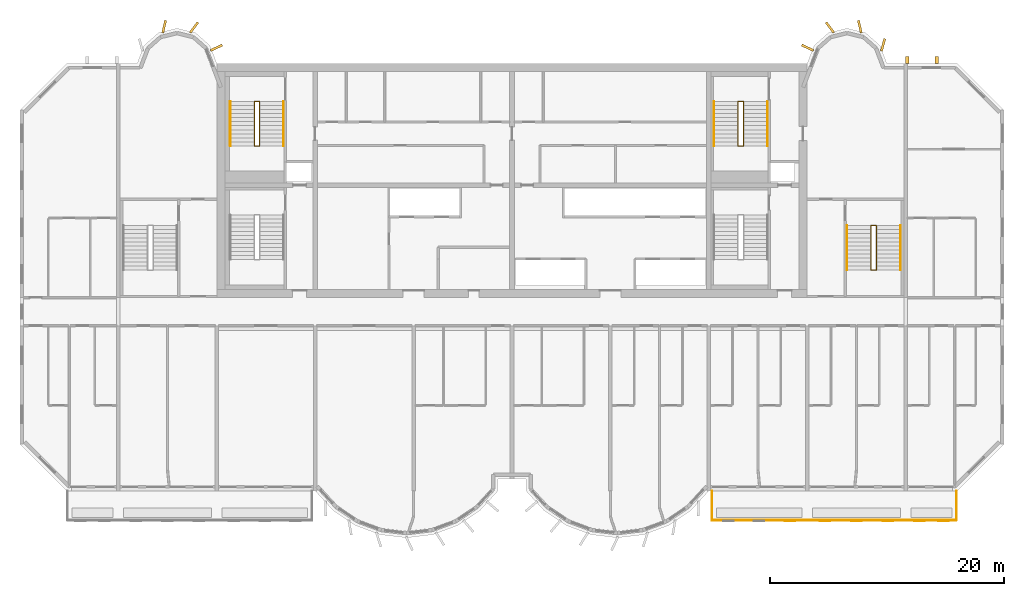
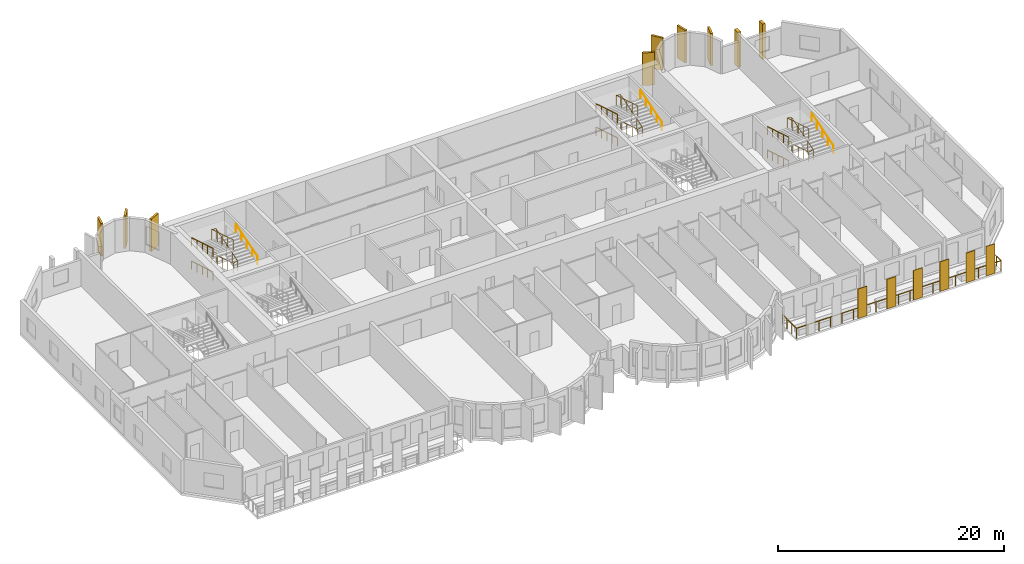
# One storey, part 12 of 13: 15 coverings, 13 railings.
"""IFC4 building model written with IfcOpenShell, lengths in metres."""

from ifc_helpers import new_model, si_unit, direction, frame, origin, origin_2d, place, context, subcontext, project, spatial, rectangle, circle, extrude, source, transform, mapped, material, layer, layer_set, material_profile, profile_set, type_object, element, save


model = new_model("IFC4")

# Units and contexts
model_context = context("Model", 3, precision=1e-05, world=origin(), true_north=direction((0.0, 1.0)))
body_context = subcontext(model_context, "Body", "Model", "MODEL_VIEW")
ifc_project = project(units=[si_unit("LENGTHUNIT", "METRE"), si_unit("AREAUNIT", "SQUARE_METRE"), si_unit("VOLUMEUNIT", "CUBIC_METRE"), si_unit("PLANEANGLEUNIT", "RADIAN"), si_unit("MASSUNIT", "GRAM", prefix="KILO")], contexts=[model_context])

# Site, building, storey
site_placement = place(None, origin())
site = spatial("IfcSite", under=ifc_project, at=site_placement, CompositionType="ELEMENT")
building_placement = place(site_placement, origin())
building = spatial("IfcBuilding", under=site, at=building_placement, Name="Vanashikhar Sky Hotel", CompositionType="ELEMENT")
storey_placement = place(building_placement, frame((0.0, 0.0, 197.199951171875)))
storey = spatial("IfcBuildingStorey", under=building, at=storey_placement, Name="L48", CompositionType="ELEMENT", Elevation=197.199951171875)

# Coverings
ifc_material_1 = material(Name="Concrete M60 dark", Category="concrete")
ifc_material_profile_1 = material_profile(ifc_material_1, rectangle(XDim=1.10009765625, YDim=0.199951171875, at=origin_2d()))
ifc_profile_set_1 = profile_set([ifc_material_profile_1], Name="Rear lobe fin 1100 x 200")
covering_type_1 = type_object("IfcCoveringType", Name="Rear lobe fin 1100 x 200", PredefinedType="CLADDING", material=ifc_profile_set_1)
shared_shape_1 = source(origin(), body_context, "Body", "SweptSolid", [
    extrude(rectangle(XDim=1.10009765625, YDim=0.199951171875, at=origin_2d()), origin(), (0.0, 0.0, 1.0), 3.52001953125),
])
for number, where, z_axis, x_axis, name in (
    (1, (20.710205078125, 45.1455078125, 0.0), (0.0, 0.0, 1.0), (0.224644935864, 0.974440687159, 0.0), "Fin R1-2"),
    (2, (23.261962890625, 45.06640625, 0.0), (0.0, 0.0, 1.0), (0.602065892195, 0.798446404874, 0.0), "Fin R1-3"),
    (3, (25.169677734375, 43.33447265625, 0.0), (0.0, 0.0, 1.0), (0.908004291068, 0.418960866193, 0.0), "Fin R1-4"),
    (4, (75.63037109375, 43.33447265625, 0.0), (0.0, 0.0, 1.0), (-0.908004291068, 0.418960866193, 0.0), "Fin R2-1"),
    (5, (77.5380859375, 45.06640625, 0.0), (0.0, 0.0, 1.0), (-0.602065892195, 0.798446404874, 0.0), "Fin R2-2"),
    (6, (80.08984375, 45.1455078125, 0.0), (0.0, 0.0, 1.0), (-0.224644935864, 0.974440687159, 0.0), "Fin R2-3"),
    (7, (82.0791015625, 43.580078125, 0.0), (0.0, 0.0, 1.0), (0.262711264409, 0.964874495234, 0.0), "Fin R2-4"),
):
    element("IfcCovering", number, at=place(storey_placement, frame(where, z_axis=z_axis, x_axis=x_axis)), inside=storey, type_object=covering_type_1, Name=name, PredefinedType="CLADDING", context=body_context, shape_type="MappedRepresentation", body=[
        mapped(shared_shape_1, transform((0.0, 0.0, 0.0), scale=1.0)),
    ])
ifc_material_2 = material(Name="Terracotta", Category="masonry")
ifc_layer = layer(ifc_material_2, 0.06005859375)
ifc_layer_set = layer_set([ifc_layer], Name="Terracotta baguette screen")
covering_type_2 = type_object("IfcCoveringType", Name="Terracotta baguette screen", PredefinedType="CLADDING", material=ifc_layer_set)
shared_shape_2 = source(origin(), body_context, "Body", "SweptSolid", [
    extrude(rectangle(XDim=0.89990234375, YDim=0.06005859375, at=origin_2d()), origin(), (0.0, 0.0, 1.0), 3.199951171875),
])
for number, where, z_axis, x_axis, name in (
    (8, (74.13330078125, 2.929931640625, -0.0498046875), (0.0, 0.0, 1.0), (1.0, 0.0, 0.0), "Terracotta screen"),
    (9, (77.10009765625, 2.929931640625, -0.0498046875), (0.0, 0.0, 1.0), (1.0, 0.0, 0.0), "Terracotta screen"),
    (10, (79.800048828125, 2.929931640625, -0.0498046875), (0.0, 0.0, 1.0), (1.0, 0.0, 0.0), "Terracotta screen"),
    (11, (82.5, 2.929931640625, -0.0498046875), (0.0, 0.0, 1.0), (1.0, 0.0, 0.0), "Terracotta screen"),
    (12, (85.175048828125, 2.929931640625, -0.0498046875), (0.0, 0.0, 1.0), (1.0, 0.0, 0.0), "Terracotta screen"),
    (13, (87.22509765625, 2.929931640625, -0.0498046875), (0.0, 0.0, 1.0), (1.0, 0.0, 0.0), "Terracotta screen"),
):
    element("IfcCovering", number, at=place(storey_placement, frame(where, z_axis=z_axis, x_axis=x_axis)), inside=storey, type_object=covering_type_2, Name=name, PredefinedType="CLADDING", context=body_context, shape_type="MappedRepresentation", body=[
        mapped(shared_shape_2, transform((0.0, 0.0, 0.0), scale=1.0)),
    ])

# Railing
ifc_material_3 = material(Name="Stainless steel 316", Category="steel")
railing_type_1 = type_object("IfcRailingType", Name="Balcony guard 1100", PredefinedType="GUARDRAIL", material=ifc_material_3)
shared_shape_3 = source(origin(), body_context, "Body", "SweptSolid", [
    extrude(circle(Radius=0.02392578125, at=origin_2d()), frame((0.0, 0.0, 1.076171875), z_axis=(0.0, -1.0, 0.0), x_axis=(1.0, 0.0, 0.0)), (0.0, 0.0, 1.0), 2.5),
    extrude(circle(Radius=0.02392578125, at=origin_2d()), frame((0.0, -2.5, 1.076171875), z_axis=(1.0, 0.0, 0.0), x_axis=(0.0, 1.0, 0.0)), (0.0, 0.0, 1.0), 20.880126953125),
    extrude(circle(Radius=0.02392578125, at=origin_2d()), frame((20.880126953125, -2.5, 1.076171875), z_axis=(0.0, 1.0, 0.0), x_axis=(-1.0, 0.0, 0.0)), (0.0, 0.0, 1.0), 2.5),
    extrude(circle(Radius=0.02099609375, at=origin_2d()), origin(), (0.0, 0.0, 1.0), 1.052001953125),
    extrude(circle(Radius=0.02099609375, at=origin_2d()), frame((0.0, -0.833251953125, 0.0)), (0.0, 0.0, 1.0), 1.052001953125),
    extrude(circle(Radius=0.02099609375, at=origin_2d()), frame((0.0, -1.666748046875, 0.0)), (0.0, 0.0, 1.0), 1.052001953125),
    extrude(circle(Radius=0.02099609375, at=origin_2d()), frame((0.0, -2.5, 0.0)), (0.0, 0.0, 1.0), 1.052001953125),
    extrude(circle(Radius=0.02099609375, at=origin_2d()), frame((1.159912109375, -2.5, 0.0)), (0.0, 0.0, 1.0), 1.052001953125),
    extrude(circle(Radius=0.02099609375, at=origin_2d()), frame((2.320068359375, -2.5, 0.0)), (0.0, 0.0, 1.0), 1.052001953125),
    extrude(circle(Radius=0.02099609375, at=origin_2d()), frame((3.47998046875, -2.5, 0.0)), (0.0, 0.0, 1.0), 1.052001953125),
    extrude(circle(Radius=0.02099609375, at=origin_2d()), frame((4.64013671875, -2.5, 0.0)), (0.0, 0.0, 1.0), 1.052001953125),
    extrude(circle(Radius=0.02099609375, at=origin_2d()), frame((5.800048828125, -2.5, 0.0)), (0.0, 0.0, 1.0), 1.052001953125),
    extrude(circle(Radius=0.02099609375, at=origin_2d()), frame((6.9599609375, -2.5, 0.0)), (0.0, 0.0, 1.0), 1.052001953125),
    extrude(circle(Radius=0.02099609375, at=origin_2d()), frame((8.1201171875, -2.5, 0.0)), (0.0, 0.0, 1.0), 1.052001953125),
    extrude(circle(Radius=0.02099609375, at=origin_2d()), frame((9.280029296875, -2.5, 0.0)), (0.0, 0.0, 1.0), 1.052001953125),
    extrude(circle(Radius=0.02099609375, at=origin_2d()), frame((10.43994140625, -2.5, 0.0)), (0.0, 0.0, 1.0), 1.052001953125),
    extrude(circle(Radius=0.02099609375, at=origin_2d()), frame((11.60009765625, -2.5, 0.0)), (0.0, 0.0, 1.0), 1.052001953125),
    extrude(circle(Radius=0.02099609375, at=origin_2d()), frame((12.760009765625, -2.5, 0.0)), (0.0, 0.0, 1.0), 1.052001953125),
    extrude(circle(Radius=0.02099609375, at=origin_2d()), frame((13.920166015625, -2.5, 0.0)), (0.0, 0.0, 1.0), 1.052001953125),
    extrude(circle(Radius=0.02099609375, at=origin_2d()), frame((15.080078125, -2.5, 0.0)), (0.0, 0.0, 1.0), 1.052001953125),
    extrude(circle(Radius=0.02099609375, at=origin_2d()), frame((16.239990234375, -2.5, 0.0)), (0.0, 0.0, 1.0), 1.052001953125),
    extrude(circle(Radius=0.02099609375, at=origin_2d()), frame((17.400146484375, -2.5, 0.0)), (0.0, 0.0, 1.0), 1.052001953125),
    extrude(circle(Radius=0.02099609375, at=origin_2d()), frame((18.56005859375, -2.5, 0.0)), (0.0, 0.0, 1.0), 1.052001953125),
    extrude(circle(Radius=0.02099609375, at=origin_2d()), frame((19.72021484375, -2.5, 0.0)), (0.0, 0.0, 1.0), 1.052001953125),
    extrude(circle(Radius=0.02099609375, at=origin_2d()), frame((20.880126953125, -2.5, 0.0)), (0.0, 0.0, 1.0), 1.052001953125),
    extrude(circle(Radius=0.02099609375, at=origin_2d()), frame((20.880126953125, -1.666748046875, 0.0)), (0.0, 0.0, 1.0), 1.052001953125),
    extrude(circle(Radius=0.02099609375, at=origin_2d()), frame((20.880126953125, -0.833251953125, 0.0)), (0.0, 0.0, 1.0), 1.052001953125),
    extrude(circle(Radius=0.02099609375, at=origin_2d()), frame((20.880126953125, 0.0, 0.0)), (0.0, 0.0, 1.0), 1.052001953125),
])
railing_1_placement = place(storey_placement, frame((67.4599609375, 5.5, -0.050048828125)))
element("IfcRailing", 14, at=railing_1_placement, inside=storey, type_object=railing_type_1, Name="Balcony guard", PredefinedType="GUARDRAIL", context=body_context, shape_type="MappedRepresentation", body=[
    mapped(shared_shape_3, transform((0.0, 0.0, 0.0), scale=1.0)),
])

# Coverings
ifc_material_profile_2 = material_profile(ifc_material_1, rectangle(XDim=0.60009765625, YDim=0.300048828125, at=origin_2d()))
ifc_profile_set_2 = profile_set([ifc_material_profile_2], Name="Rear rib 600 x 300")
covering_type_3 = type_object("IfcCoveringType", Name="Rear rib 600 x 300", PredefinedType="CLADDING", material=ifc_profile_set_2)
shared_shape_4 = source(origin(), body_context, "Body", "SweptSolid", [
    extrude(rectangle(XDim=0.60009765625, YDim=0.300048828125, at=origin_2d()), origin(), (0.0, 0.0, 1.0), 3.800048828125),
])
for number, where, z_axis, x_axis, name in (
    (15, (84.14990234375, 42.300048828125, -0.280029296875), (0.0, 0.0, 1.0), (0.0, 1.0, 0.0), "Rear rib"),
    (16, (86.64990234375, 42.300048828125, -0.280029296875), (0.0, 0.0, 1.0), (0.0, 1.0, 0.0), "Rear rib"),
):
    element("IfcCovering", number, at=place(storey_placement, frame(where, z_axis=z_axis, x_axis=x_axis)), inside=storey, type_object=covering_type_3, Name=name, PredefinedType="CLADDING", context=body_context, shape_type="MappedRepresentation", body=[
        mapped(shared_shape_4, transform((0.0, 0.0, 0.0), scale=1.0)),
    ])

# Railings
ifc_material_4 = material(Name="Steel S355", Category="steel")
railing_type_2 = type_object("IfcRailingType", Name="Stair handrail 900", PredefinedType="HANDRAIL", material=ifc_material_4)
shared_shape_5 = source(origin(), body_context, "Body", "SweptSolid", [
    extrude(circle(Radius=0.02392578125, at=origin_2d()), frame((0.0, 0.0, 0.8759765625), z_axis=(0.0, 0.95635109408, 0.292220096591), x_axis=(-1.0, 0.0, 0.0)), (0.0, 0.0, 1.0), 3.973388671875),
    extrude(circle(Radius=0.02099609375, at=origin_2d()), origin(), (0.0, 0.0, 1.0), 0.851806640625),
    extrude(circle(Radius=0.02099609375, at=origin_2d()), frame((0.0, 0.949951171875, 0.290283203125)), (0.0, 0.0, 1.0), 0.851806640625),
    extrude(circle(Radius=0.02099609375, at=origin_2d()), frame((0.0, 1.89990234375, 0.58056640625)), (0.0, 0.0, 1.0), 0.851806640625),
    extrude(circle(Radius=0.02099609375, at=origin_2d()), frame((0.0, 2.85009765625, 0.870849609375)), (0.0, 0.0, 1.0), 0.851806640625),
    extrude(circle(Radius=0.02099609375, at=origin_2d()), frame((0.0, 3.800048828125, 1.1611328125)), (0.0, 0.0, 1.0), 0.851806640625),
])
for number, where, name in (
    (17, (30.89990234375, 34.949951171875, 1.372314453125), "Exit stair 5 handrail"),
    (18, (72.199951171875, 34.949951171875, 1.372314453125), "Exit stair 6 handrail"),
):
    element("IfcRailing", number, at=place(storey_placement, frame(where)), inside=storey, type_object=railing_type_2, Name=name, PredefinedType="HANDRAIL", context=body_context, shape_type="MappedRepresentation", body=[
        mapped(shared_shape_5, transform((0.0, 0.0, 0.0), scale=1.0)),
    ])
shared_shape_6 = source(origin(), body_context, "Body", "SweptSolid", [
    extrude(circle(Radius=0.02392578125, at=origin_2d()), frame((0.0, 0.0, 0.8759765625), z_axis=(0.0, -0.95635109408, 0.292220096591), x_axis=(1.0, 0.0, 0.0)), (0.0, 0.0, 1.0), 3.973388671875),
    extrude(circle(Radius=0.02099609375, at=origin_2d()), origin(), (0.0, 0.0, 1.0), 0.851806640625),
    extrude(circle(Radius=0.02099609375, at=origin_2d()), frame((0.0, -0.949951171875, 0.290283203125)), (0.0, 0.0, 1.0), 0.851806640625),
    extrude(circle(Radius=0.02099609375, at=origin_2d()), frame((0.0, -1.89990234375, 0.58056640625)), (0.0, 0.0, 1.0), 0.851806640625),
    extrude(circle(Radius=0.02099609375, at=origin_2d()), frame((0.0, -2.85009765625, 0.870849609375)), (0.0, 0.0, 1.0), 0.851806640625),
    extrude(circle(Radius=0.02099609375, at=origin_2d()), frame((0.0, -3.800048828125, 1.1611328125)), (0.0, 0.0, 1.0), 0.851806640625),
])
for number, where, name in (
    (19, (26.35009765625, 38.75, 2.638916015625), "Exit stair 5 handrail"),
    (20, (67.64990234375, 38.75, 2.638916015625), "Exit stair 6 handrail"),
):
    element("IfcRailing", number, at=place(storey_placement, frame(where)), inside=storey, type_object=railing_type_2, Name=name, PredefinedType="HANDRAIL", context=body_context, shape_type="MappedRepresentation", body=[
        mapped(shared_shape_6, transform((0.0, 0.0, 0.0), scale=1.0)),
    ])
railing_type_3 = type_object("IfcRailingType", Name="Stair guard 1100", PredefinedType="GUARDRAIL", material=ifc_material_4)
shared_shape_7 = source(origin(), body_context, "Body", "SweptSolid", [
    extrude(circle(Radius=0.02392578125, at=origin_2d()), frame((0.0, 0.0, 1.076171875), z_axis=(-0.973520925263, 0.0, 0.228597917917), x_axis=(0.0, -1.0, 0.0)), (0.0, 0.0, 1.0), 0.46240234375),
    extrude(circle(Radius=0.02392578125, at=origin_2d()), frame((-0.4501953125, 0.0, 1.181640625), z_axis=(0.0, -0.956368263741, 0.292163899395), x_axis=(1.0, 0.0, 0.0)), (0.0, 0.0, 1.0), 3.973388671875),
    extrude(circle(Radius=0.02392578125, at=origin_2d()), frame((-0.4501953125, -3.800048828125, 2.3427734375), z_axis=(0.973520925263, 0.0, 0.228597917917), x_axis=(0.0, 1.0, 0.0)), (0.0, 0.0, 1.0), 0.46240234375),
    extrude(circle(Radius=0.02392578125, at=origin_2d()), frame((0.0, -3.800048828125, 2.4482421875), z_axis=(0.0, 0.95635109408, 0.292220096591), x_axis=(-1.0, 0.0, 0.0)), (0.0, 0.0, 1.0), 3.973388671875),
    extrude(circle(Radius=0.02392578125, at=origin_2d()), frame((0.0, 0.0, 3.609375), z_axis=(-0.973638301096, 0.0, 0.228097476179), x_axis=(0.0, -1.0, 0.0)), (0.0, 0.0, 1.0), 0.46240234375),
    extrude(circle(Radius=0.02392578125, at=origin_2d()), frame((-0.4501953125, 0.0, 3.71484375), z_axis=(0.0, -0.95635109408, 0.292220096591), x_axis=(1.0, 0.0, 0.0)), (0.0, 0.0, 1.0), 3.973388671875),
    extrude(circle(Radius=0.02099609375, at=origin_2d()), origin(), (0.0, 0.0, 1.0), 1.052001953125),
    extrude(circle(Radius=0.02099609375, at=origin_2d()), frame((-0.4501953125, 0.0, 0.105712890625)), (0.0, 0.0, 1.0), 1.052001953125),
    extrude(circle(Radius=0.02099609375, at=origin_2d()), frame((-0.4501953125, -0.949951171875, 0.39599609375)), (0.0, 0.0, 1.0), 1.052001953125),
    extrude(circle(Radius=0.02099609375, at=origin_2d()), frame((-0.4501953125, -1.89990234375, 0.68603515625)), (0.0, 0.0, 1.0), 1.052001953125),
    extrude(circle(Radius=0.02099609375, at=origin_2d()), frame((-0.4501953125, -2.85009765625, 0.976318359375)), (0.0, 0.0, 1.0), 1.052001953125),
    extrude(circle(Radius=0.02099609375, at=origin_2d()), frame((-0.4501953125, -3.800048828125, 1.2666015625)), (0.0, 0.0, 1.0), 1.052001953125),
    extrude(circle(Radius=0.02099609375, at=origin_2d()), frame((0.0, -3.800048828125, 1.372314453125)), (0.0, 0.0, 1.0), 1.052001953125),
    extrude(circle(Radius=0.02099609375, at=origin_2d()), frame((0.0, -2.85009765625, 1.66259765625)), (0.0, 0.0, 1.0), 1.052001953125),
    extrude(circle(Radius=0.02099609375, at=origin_2d()), frame((0.0, -1.89990234375, 1.952880859375)), (0.0, 0.0, 1.0), 1.052001953125),
    extrude(circle(Radius=0.02099609375, at=origin_2d()), frame((0.0, -0.949951171875, 2.2431640625)), (0.0, 0.0, 1.0), 1.052001953125),
    extrude(circle(Radius=0.02099609375, at=origin_2d()), frame((0.0, 0.0, 2.533447265625)), (0.0, 0.0, 1.0), 1.052001953125),
    extrude(circle(Radius=0.02099609375, at=origin_2d()), frame((-0.4501953125, 0.0, 2.638916015625)), (0.0, 0.0, 1.0), 1.052001953125),
    extrude(circle(Radius=0.02099609375, at=origin_2d()), frame((-0.4501953125, -0.949951171875, 2.92919921875)), (0.0, 0.0, 1.0), 1.052001953125),
    extrude(circle(Radius=0.02099609375, at=origin_2d()), frame((-0.4501953125, -1.89990234375, 3.219482421875)), (0.0, 0.0, 1.0), 1.052001953125),
    extrude(circle(Radius=0.02099609375, at=origin_2d()), frame((-0.4501953125, -2.85009765625, 3.509765625)), (0.0, 0.0, 1.0), 1.052001953125),
    extrude(circle(Radius=0.02099609375, at=origin_2d()), frame((-0.4501953125, -3.800048828125, 3.800048828125)), (0.0, 0.0, 1.0), 1.052001953125),
])
railing_2_placement = place(storey_placement, frame((28.85009765625, 38.75, 0.0)))
element("IfcRailing", 21, at=railing_2_placement, inside=storey, type_object=railing_type_3, Name="Exit stair 5 guard", PredefinedType="GUARDRAIL", context=body_context, shape_type="MappedRepresentation", body=[
    mapped(shared_shape_7, transform((0.0, 0.0, 0.0), scale=1.0)),
])
shared_shape_8 = source(origin(), body_context, "Body", "SweptSolid", [
    extrude(circle(Radius=0.02392578125, at=origin_2d()), frame((0.0, 0.0, 0.8759765625), z_axis=(0.0, -0.956368263741, 0.292163899395), x_axis=(1.0, 0.0, 0.0)), (0.0, 0.0, 1.0), 3.973388671875),
    extrude(circle(Radius=0.02099609375, at=origin_2d()), origin(), (0.0, 0.0, 1.0), 0.851806640625),
    extrude(circle(Radius=0.02099609375, at=origin_2d()), frame((0.0, -0.949951171875, 0.290283203125)), (0.0, 0.0, 1.0), 0.851806640625),
    extrude(circle(Radius=0.02099609375, at=origin_2d()), frame((0.0, -1.89990234375, 0.58056640625)), (0.0, 0.0, 1.0), 0.851806640625),
    extrude(circle(Radius=0.02099609375, at=origin_2d()), frame((0.0, -2.85009765625, 0.87060546875)), (0.0, 0.0, 1.0), 0.851806640625),
    extrude(circle(Radius=0.02099609375, at=origin_2d()), frame((0.0, -3.800048828125, 1.160888671875)), (0.0, 0.0, 1.0), 0.851806640625),
])
for number, where, name in (
    (22, (26.35009765625, 38.75, 0.105712890625), "Exit stair 5 handrail"),
    (23, (67.64990234375, 38.75, 0.105712890625), "Exit stair 6 handrail"),
):
    element("IfcRailing", number, at=place(storey_placement, frame(where)), inside=storey, type_object=railing_type_2, Name=name, PredefinedType="HANDRAIL", context=body_context, shape_type="MappedRepresentation", body=[
        mapped(shared_shape_8, transform((0.0, 0.0, 0.0), scale=1.0)),
    ])
shared_shape_9 = source(origin(), body_context, "Body", "SweptSolid", [
    extrude(circle(Radius=0.02392578125, at=origin_2d()), frame((0.0, 0.0, 1.076171875), z_axis=(-0.973493315427, 0.0, 0.228715466945), x_axis=(0.0, -1.0, 0.0)), (0.0, 0.0, 1.0), 0.462158203125),
    extrude(circle(Radius=0.02392578125, at=origin_2d()), frame((-0.449951171875, 0.0, 1.181640625), z_axis=(0.0, -0.956368263741, 0.292163899395), x_axis=(1.0, 0.0, 0.0)), (0.0, 0.0, 1.0), 3.973388671875),
    extrude(circle(Radius=0.02392578125, at=origin_2d()), frame((-0.449951171875, -3.800048828125, 2.3427734375), z_axis=(0.973493315427, 0.0, 0.228715466945), x_axis=(0.0, 1.0, 0.0)), (0.0, 0.0, 1.0), 0.462158203125),
    extrude(circle(Radius=0.02392578125, at=origin_2d()), frame((0.0, -3.800048828125, 2.4482421875), z_axis=(0.0, 0.95635109408, 0.292220096591), x_axis=(-1.0, 0.0, 0.0)), (0.0, 0.0, 1.0), 3.973388671875),
    extrude(circle(Radius=0.02392578125, at=origin_2d()), frame((0.0, 0.0, 3.609375), z_axis=(-0.973610808694, 0.0, 0.228214796178), x_axis=(0.0, -1.0, 0.0)), (0.0, 0.0, 1.0), 0.462158203125),
    extrude(circle(Radius=0.02392578125, at=origin_2d()), frame((-0.449951171875, 0.0, 3.71484375), z_axis=(0.0, -0.95635109408, 0.292220096591), x_axis=(1.0, 0.0, 0.0)), (0.0, 0.0, 1.0), 3.973388671875),
    extrude(circle(Radius=0.02099609375, at=origin_2d()), origin(), (0.0, 0.0, 1.0), 1.052001953125),
    extrude(circle(Radius=0.02099609375, at=origin_2d()), frame((-0.449951171875, 0.0, 0.105712890625)), (0.0, 0.0, 1.0), 1.052001953125),
    extrude(circle(Radius=0.02099609375, at=origin_2d()), frame((-0.449951171875, -0.949951171875, 0.39599609375)), (0.0, 0.0, 1.0), 1.052001953125),
    extrude(circle(Radius=0.02099609375, at=origin_2d()), frame((-0.449951171875, -1.89990234375, 0.68603515625)), (0.0, 0.0, 1.0), 1.052001953125),
    extrude(circle(Radius=0.02099609375, at=origin_2d()), frame((-0.449951171875, -2.85009765625, 0.976318359375)), (0.0, 0.0, 1.0), 1.052001953125),
    extrude(circle(Radius=0.02099609375, at=origin_2d()), frame((-0.449951171875, -3.800048828125, 1.2666015625)), (0.0, 0.0, 1.0), 1.052001953125),
    extrude(circle(Radius=0.02099609375, at=origin_2d()), frame((0.0, -3.800048828125, 1.372314453125)), (0.0, 0.0, 1.0), 1.052001953125),
    extrude(circle(Radius=0.02099609375, at=origin_2d()), frame((0.0, -2.85009765625, 1.66259765625)), (0.0, 0.0, 1.0), 1.052001953125),
    extrude(circle(Radius=0.02099609375, at=origin_2d()), frame((0.0, -1.89990234375, 1.952880859375)), (0.0, 0.0, 1.0), 1.052001953125),
    extrude(circle(Radius=0.02099609375, at=origin_2d()), frame((0.0, -0.949951171875, 2.2431640625)), (0.0, 0.0, 1.0), 1.052001953125),
    extrude(circle(Radius=0.02099609375, at=origin_2d()), frame((0.0, 0.0, 2.533447265625)), (0.0, 0.0, 1.0), 1.052001953125),
    extrude(circle(Radius=0.02099609375, at=origin_2d()), frame((-0.449951171875, 0.0, 2.638916015625)), (0.0, 0.0, 1.0), 1.052001953125),
    extrude(circle(Radius=0.02099609375, at=origin_2d()), frame((-0.449951171875, -0.949951171875, 2.92919921875)), (0.0, 0.0, 1.0), 1.052001953125),
    extrude(circle(Radius=0.02099609375, at=origin_2d()), frame((-0.449951171875, -1.89990234375, 3.219482421875)), (0.0, 0.0, 1.0), 1.052001953125),
    extrude(circle(Radius=0.02099609375, at=origin_2d()), frame((-0.449951171875, -2.85009765625, 3.509765625)), (0.0, 0.0, 1.0), 1.052001953125),
    extrude(circle(Radius=0.02099609375, at=origin_2d()), frame((-0.449951171875, -3.800048828125, 3.800048828125)), (0.0, 0.0, 1.0), 1.052001953125),
])
railing_3_placement = place(storey_placement, frame((70.14990234375, 38.75, 0.0)))
element("IfcRailing", 24, at=railing_3_placement, inside=storey, type_object=railing_type_3, Name="Exit stair 6 guard", PredefinedType="GUARDRAIL", context=body_context, shape_type="MappedRepresentation", body=[
    mapped(shared_shape_9, transform((0.0, 0.0, 0.0), scale=1.0)),
])
shared_shape_10 = source(origin(), body_context, "Body", "SweptSolid", [
    extrude(circle(Radius=0.02392578125, at=origin_2d()), frame((0.0, 0.0, 0.8759765625), z_axis=(0.0, 0.956345846891, 0.292237268557), x_axis=(-1.0, 0.0, 0.0)), (0.0, 0.0, 1.0), 3.97314453125),
    extrude(circle(Radius=0.02099609375, at=origin_2d()), origin(), (0.0, 0.0, 1.0), 0.851806640625),
    extrude(circle(Radius=0.02099609375, at=origin_2d()), frame((0.0, 0.949951171875, 0.290283203125)), (0.0, 0.0, 1.0), 0.851806640625),
    extrude(circle(Radius=0.02099609375, at=origin_2d()), frame((0.0, 1.89990234375, 0.58056640625)), (0.0, 0.0, 1.0), 0.851806640625),
    extrude(circle(Radius=0.02099609375, at=origin_2d()), frame((0.0, 2.849853515625, 0.870849609375)), (0.0, 0.0, 1.0), 0.851806640625),
    extrude(circle(Radius=0.02099609375, at=origin_2d()), frame((0.0, 3.7998046875, 1.1611328125)), (0.0, 0.0, 1.0), 0.851806640625),
])
railing_4_placement = place(storey_placement, frame((83.550048828125, 24.35009765625, 1.372314453125)))
element("IfcRailing", 25, at=railing_4_placement, inside=storey, type_object=railing_type_2, Name="Exit stair 4 handrail", PredefinedType="HANDRAIL", context=body_context, shape_type="MappedRepresentation", body=[
    mapped(shared_shape_10, transform((0.0, 0.0, 0.0), scale=1.0)),
])
shared_shape_11 = source(origin(), body_context, "Body", "SweptSolid", [
    extrude(circle(Radius=0.02392578125, at=origin_2d()), frame((0.0, 0.0, 0.8759765625), z_axis=(0.0, -0.956345846891, 0.292237268557), x_axis=(1.0, 0.0, 0.0)), (0.0, 0.0, 1.0), 3.97314453125),
    extrude(circle(Radius=0.02099609375, at=origin_2d()), origin(), (0.0, 0.0, 1.0), 0.851806640625),
    extrude(circle(Radius=0.02099609375, at=origin_2d()), frame((0.0, -0.949951171875, 0.290283203125)), (0.0, 0.0, 1.0), 0.851806640625),
    extrude(circle(Radius=0.02099609375, at=origin_2d()), frame((0.0, -1.89990234375, 0.58056640625)), (0.0, 0.0, 1.0), 0.851806640625),
    extrude(circle(Radius=0.02099609375, at=origin_2d()), frame((0.0, -2.849853515625, 0.870849609375)), (0.0, 0.0, 1.0), 0.851806640625),
    extrude(circle(Radius=0.02099609375, at=origin_2d()), frame((0.0, -3.7998046875, 1.1611328125)), (0.0, 0.0, 1.0), 0.851806640625),
])
railing_5_placement = place(storey_placement, frame((79.0, 28.14990234375, 2.638916015625)))
element("IfcRailing", 26, at=railing_5_placement, inside=storey, type_object=railing_type_2, Name="Exit stair 4 handrail", PredefinedType="HANDRAIL", context=body_context, shape_type="MappedRepresentation", body=[
    mapped(shared_shape_11, transform((0.0, 0.0, 0.0), scale=1.0)),
])
shared_shape_12 = source(origin(), body_context, "Body", "SweptSolid", [
    extrude(circle(Radius=0.02392578125, at=origin_2d()), frame((0.0, 0.0, 1.076171875), z_axis=(-0.973493315427, 0.0, 0.228715466945), x_axis=(0.0, -1.0, 0.0)), (0.0, 0.0, 1.0), 0.462158203125),
    extrude(circle(Radius=0.02392578125, at=origin_2d()), frame((-0.449951171875, 0.0, 1.181640625), z_axis=(0.0, -0.956363018476, 0.292181068675), x_axis=(1.0, 0.0, 0.0)), (0.0, 0.0, 1.0), 3.97314453125),
    extrude(circle(Radius=0.02392578125, at=origin_2d()), frame((-0.449951171875, -3.7998046875, 2.3427734375), z_axis=(0.973493315427, 0.0, 0.228715466945), x_axis=(0.0, 1.0, 0.0)), (0.0, 0.0, 1.0), 0.462158203125),
    extrude(circle(Radius=0.02392578125, at=origin_2d()), frame((0.0, -3.7998046875, 2.4482421875), z_axis=(0.0, 0.956345846891, 0.292237268557), x_axis=(-1.0, 0.0, 0.0)), (0.0, 0.0, 1.0), 3.97314453125),
    extrude(circle(Radius=0.02392578125, at=origin_2d()), frame((0.0, 0.0, 3.609375), z_axis=(-0.973610808694, 0.0, 0.228214796178), x_axis=(0.0, -1.0, 0.0)), (0.0, 0.0, 1.0), 0.462158203125),
    extrude(circle(Radius=0.02392578125, at=origin_2d()), frame((-0.449951171875, 0.0, 3.71484375), z_axis=(0.0, -0.956345846891, 0.292237268557), x_axis=(1.0, 0.0, 0.0)), (0.0, 0.0, 1.0), 3.97314453125),
    extrude(circle(Radius=0.02099609375, at=origin_2d()), origin(), (0.0, 0.0, 1.0), 1.052001953125),
    extrude(circle(Radius=0.02099609375, at=origin_2d()), frame((-0.449951171875, 0.0, 0.105712890625)), (0.0, 0.0, 1.0), 1.052001953125),
    extrude(circle(Radius=0.02099609375, at=origin_2d()), frame((-0.449951171875, -0.949951171875, 0.39599609375)), (0.0, 0.0, 1.0), 1.052001953125),
    extrude(circle(Radius=0.02099609375, at=origin_2d()), frame((-0.449951171875, -1.89990234375, 0.68603515625)), (0.0, 0.0, 1.0), 1.052001953125),
    extrude(circle(Radius=0.02099609375, at=origin_2d()), frame((-0.449951171875, -2.849853515625, 0.976318359375)), (0.0, 0.0, 1.0), 1.052001953125),
    extrude(circle(Radius=0.02099609375, at=origin_2d()), frame((-0.449951171875, -3.7998046875, 1.2666015625)), (0.0, 0.0, 1.0), 1.052001953125),
    extrude(circle(Radius=0.02099609375, at=origin_2d()), frame((0.0, -3.7998046875, 1.372314453125)), (0.0, 0.0, 1.0), 1.052001953125),
    extrude(circle(Radius=0.02099609375, at=origin_2d()), frame((0.0, -2.849853515625, 1.66259765625)), (0.0, 0.0, 1.0), 1.052001953125),
    extrude(circle(Radius=0.02099609375, at=origin_2d()), frame((0.0, -1.89990234375, 1.952880859375)), (0.0, 0.0, 1.0), 1.052001953125),
    extrude(circle(Radius=0.02099609375, at=origin_2d()), frame((0.0, -0.949951171875, 2.2431640625)), (0.0, 0.0, 1.0), 1.052001953125),
    extrude(circle(Radius=0.02099609375, at=origin_2d()), frame((0.0, 0.0, 2.533447265625)), (0.0, 0.0, 1.0), 1.052001953125),
    extrude(circle(Radius=0.02099609375, at=origin_2d()), frame((-0.449951171875, 0.0, 2.638916015625)), (0.0, 0.0, 1.0), 1.052001953125),
    extrude(circle(Radius=0.02099609375, at=origin_2d()), frame((-0.449951171875, -0.949951171875, 2.92919921875)), (0.0, 0.0, 1.0), 1.052001953125),
    extrude(circle(Radius=0.02099609375, at=origin_2d()), frame((-0.449951171875, -1.89990234375, 3.219482421875)), (0.0, 0.0, 1.0), 1.052001953125),
    extrude(circle(Radius=0.02099609375, at=origin_2d()), frame((-0.449951171875, -2.849853515625, 3.509765625)), (0.0, 0.0, 1.0), 1.052001953125),
    extrude(circle(Radius=0.02099609375, at=origin_2d()), frame((-0.449951171875, -3.7998046875, 3.800048828125)), (0.0, 0.0, 1.0), 1.052001953125),
])
railing_6_placement = place(storey_placement, frame((81.5, 28.14990234375, 0.0)))
element("IfcRailing", 27, at=railing_6_placement, inside=storey, type_object=railing_type_3, Name="Exit stair 4 guard", PredefinedType="GUARDRAIL", context=body_context, shape_type="MappedRepresentation", body=[
    mapped(shared_shape_12, transform((0.0, 0.0, 0.0), scale=1.0)),
])
shared_shape_13 = source(origin(), body_context, "Body", "SweptSolid", [
    extrude(circle(Radius=0.02392578125, at=origin_2d()), frame((0.0, 0.0, 0.8759765625), z_axis=(0.0, -0.956363018476, 0.292181068675), x_axis=(1.0, 0.0, 0.0)), (0.0, 0.0, 1.0), 3.97314453125),
    extrude(circle(Radius=0.02099609375, at=origin_2d()), origin(), (0.0, 0.0, 1.0), 0.851806640625),
    extrude(circle(Radius=0.02099609375, at=origin_2d()), frame((0.0, -0.949951171875, 0.290283203125)), (0.0, 0.0, 1.0), 0.851806640625),
    extrude(circle(Radius=0.02099609375, at=origin_2d()), frame((0.0, -1.89990234375, 0.58056640625)), (0.0, 0.0, 1.0), 0.851806640625),
    extrude(circle(Radius=0.02099609375, at=origin_2d()), frame((0.0, -2.849853515625, 0.87060546875)), (0.0, 0.0, 1.0), 0.851806640625),
    extrude(circle(Radius=0.02099609375, at=origin_2d()), frame((0.0, -3.7998046875, 1.160888671875)), (0.0, 0.0, 1.0), 0.851806640625),
])
railing_7_placement = place(storey_placement, frame((79.0, 28.14990234375, 0.105712890625)))
element("IfcRailing", 28, at=railing_7_placement, inside=storey, type_object=railing_type_2, Name="Exit stair 4 handrail", PredefinedType="HANDRAIL", context=body_context, shape_type="MappedRepresentation", body=[
    mapped(shared_shape_13, transform((0.0, 0.0, 0.0), scale=1.0)),
])

save(model, "model.ifc")
